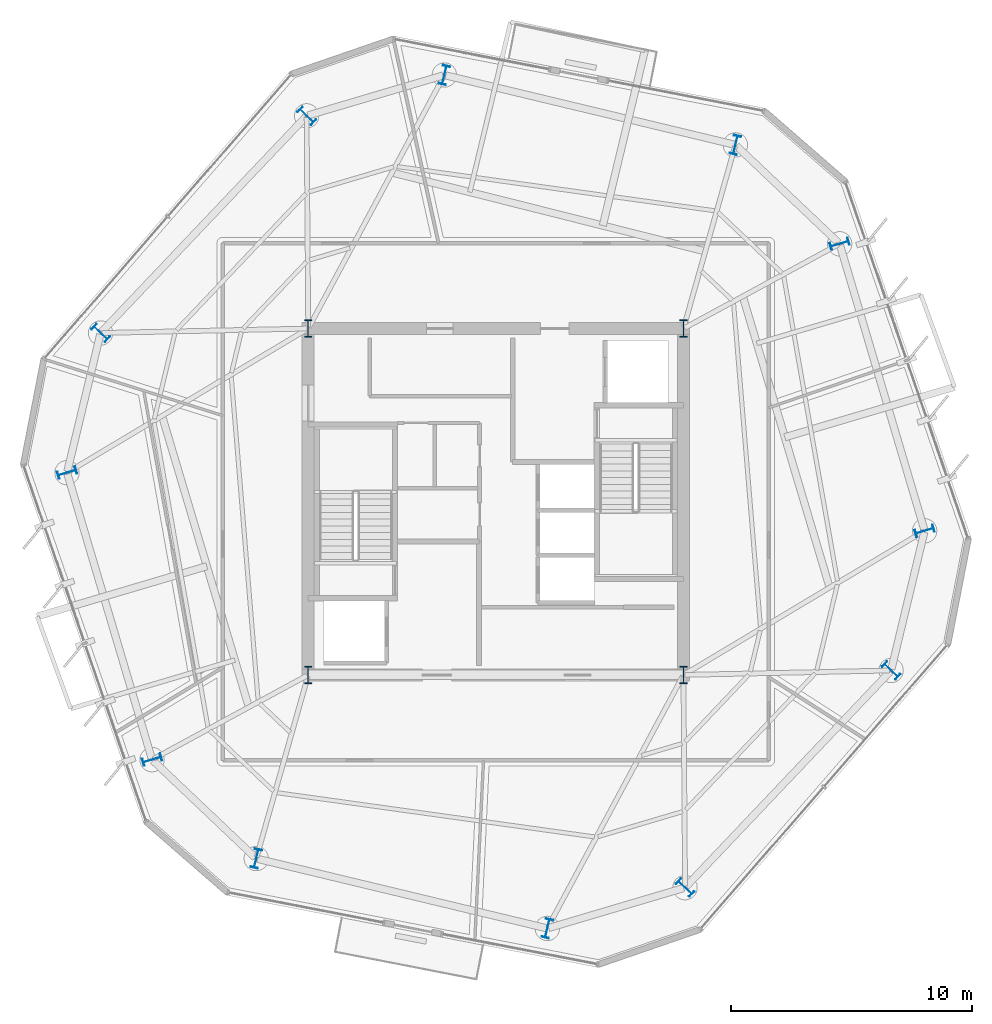
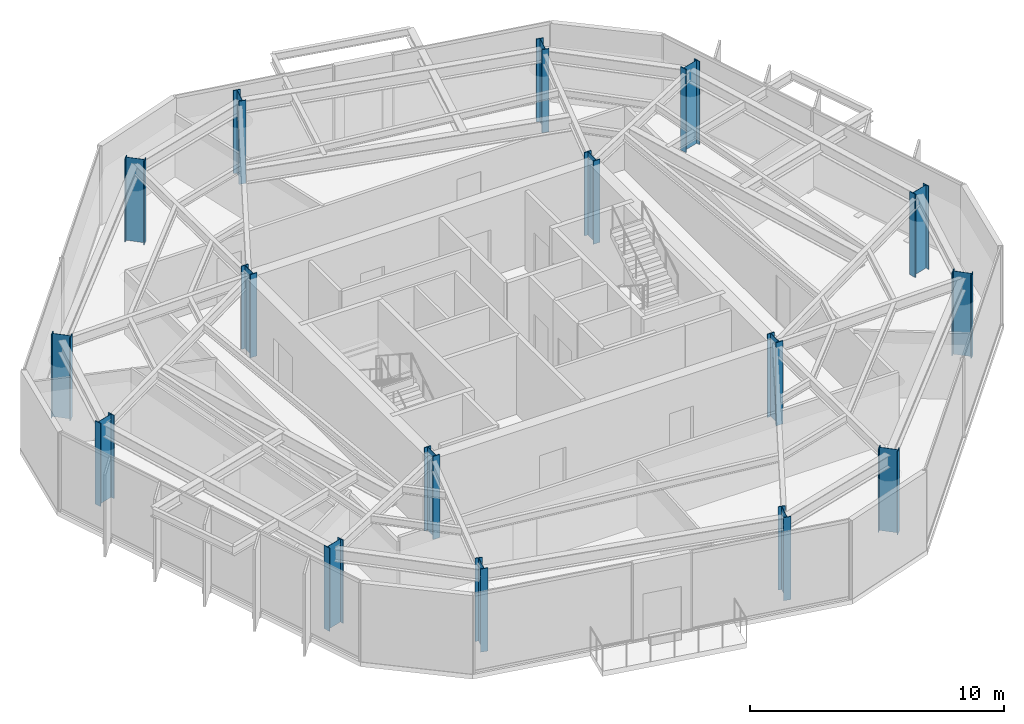
# One storey, part 1 of 11: 16 columns.
"""IFC4 building model written with IfcOpenShell, lengths in metres."""

from ifc_helpers import new_model, si_unit, direction, frame, origin, origin_2d, place, context, subcontext, project, spatial, i_section, extrude, material, material_profile, profile_set, type_object, element, save


model = new_model("IFC4")

# Units and contexts
model_context = context("Model", 3, precision=1e-05, world=origin(), true_north=direction((0.0, 1.0)))
body_context = subcontext(model_context, "Body", "Model", "MODEL_VIEW")
ifc_project = project(units=[si_unit("LENGTHUNIT", "METRE"), si_unit("AREAUNIT", "SQUARE_METRE"), si_unit("VOLUMEUNIT", "CUBIC_METRE"), si_unit("PLANEANGLEUNIT", "RADIAN"), si_unit("MASSUNIT", "GRAM", prefix="KILO")], contexts=[model_context])

# Site, building, storey
site_placement = place(None, origin())
site = spatial("IfcSite", under=ifc_project, at=site_placement, CompositionType="ELEMENT")
building_placement = place(site_placement, origin())
building = spatial("IfcBuilding", under=site, at=building_placement, Name="Kranzbogen Civic Tower", CompositionType="ELEMENT")
storey_placement = place(building_placement, frame((0.0, 0.0, 220.800048828125)))
storey = spatial("IfcBuildingStorey", under=building, at=storey_placement, Name="L53", CompositionType="ELEMENT", Elevation=220.800048828125)

# Columns
ifc_material_1 = material(Name="Steel S355", Category="steel")
ifc_material_profile_1 = material_profile(ifc_material_1, i_section(OverallWidth=0.300048828125, OverallDepth=0.800048828125, WebThickness=0.017578125, FlangeThickness=0.032958984375, at=origin_2d()), Name="HEB 800")
ifc_profile_set_1 = profile_set([ifc_material_profile_1], Name="Steel S355")
column_type_1 = type_object("IfcColumnType", Name="Structural Column HEB 800", PredefinedType="COLUMN", material=ifc_profile_set_1)
for number, where, z_axis, x_axis, name in (
    (1, (34.9609375, 39.8349609375, 0.0), (0.0, 0.0, 1.0), (-0.972369920398, 0.233445363856, 0.0), "L53 tower perimeter tube column 01"),
    (2, (22.860107421875, 42.739990234375, 0.0), (0.0, 0.0, 1.0), (-0.972369920398, 0.233445363856, 0.0), "L53 tower perimeter tube column 02"),
    (3, (17.133056640625, 41.0439453125, 0.0), (0.0, 0.0, 1.0), (0.688354575694, 0.725374371012, 0.0), "L53 tower perimeter tube column 03"),
    (4, (8.56689453125, 32.01611328125, 0.0), (0.0, 0.0, 1.0), (0.688354575694, 0.725374371012, 0.0), "L53 tower perimeter tube column 04"),
    (5, (7.172119140625, 26.208984375, 0.0), (0.0, 0.0, 1.0), (-0.284015344704, 0.958819734868, 0.0), "L53 tower perimeter tube column 05"),
    (6, (10.70703125, 14.27587890625, 0.0), (0.0, 0.0, 1.0), (-0.284015344704, 0.958819734868, 0.0), "L53 tower perimeter tube column 06"),
    (7, (15.0390625, 10.1650390625, 0.0), (0.0, 0.0, 1.0), (-0.972369920398, 0.233445363856, 0.0), "L53 tower perimeter tube column 07"),
    (8, (27.139892578125, 7.260009765625, 0.0), (0.0, 0.0, 1.0), (-0.972369920398, 0.233445363856, 0.0), "L53 tower perimeter tube column 08"),
    (9, (32.866943359375, 8.9560546875, 0.0), (0.0, 0.0, 1.0), (0.688354575694, 0.725374371012, 0.0), "L53 tower perimeter tube column 09"),
    (10, (41.43310546875, 17.98388671875, 0.0), (0.0, 0.0, 1.0), (0.688354575694, 0.725374371012, 0.0), "L53 tower perimeter tube column 10"),
    (11, (42.827880859375, 23.791015625, 0.0), (0.0, 0.0, 1.0), (-0.284015344704, 0.958819734868, 0.0), "L53 tower perimeter tube column 11"),
    (12, (39.29296875, 35.72412109375, 0.0), (0.0, 0.0, 1.0), (-0.284015344704, 0.958819734868, 0.0), "L53 tower perimeter tube column 12"),
):
    element("IfcColumn", number, at=place(storey_placement, frame(where, z_axis=z_axis, x_axis=x_axis)), inside=storey, type_object=column_type_1, Name=name, PredefinedType="COLUMN", context=body_context, shape_type="SweptSolid", body=[
        extrude(i_section(OverallWidth=0.300048828125, OverallDepth=0.800048828125, WebThickness=0.017578125, FlangeThickness=0.032958984375, at=origin_2d()), origin(), (0.0, 0.0, 1.0), 4.0),
    ])
ifc_material_2 = material(Name="Steel S460", Category="steel")
ifc_material_profile_2 = material_profile(ifc_material_2, i_section(OverallWidth=0.303955078125, OverallDepth=0.716064453125, WebThickness=0.02099609375, FlangeThickness=0.0400390625, at=origin_2d()), Name="HEM 700")
ifc_profile_set_2 = profile_set([ifc_material_profile_2], Name="Steel S460")
column_type_2 = type_object("IfcColumnType", Name="Structural Column HEM 700", PredefinedType="COLUMN", material=ifc_profile_set_2)
for number, where, z_axis, x_axis, name in (
    (13, (17.199951171875, 17.800048828125, 0.0), (0.0, 0.0, 1.0), (1.0, 0.0, 0.0), "L53 composite core corner column 1"),
    (14, (32.800048828125, 17.800048828125, 0.0), (0.0, 0.0, 1.0), (1.0, 0.0, 0.0), "L53 composite core corner column 2"),
    (15, (32.800048828125, 32.199951171875, 0.0), (0.0, 0.0, 1.0), (1.0, 0.0, 0.0), "L53 composite core corner column 3"),
    (16, (17.199951171875, 32.199951171875, 0.0), (0.0, 0.0, 1.0), (1.0, 0.0, 0.0), "L53 composite core corner column 4"),
):
    element("IfcColumn", number, at=place(storey_placement, frame(where, z_axis=z_axis, x_axis=x_axis)), inside=storey, type_object=column_type_2, Name=name, PredefinedType="COLUMN", context=body_context, shape_type="SweptSolid", body=[
        extrude(i_section(OverallWidth=0.303955078125, OverallDepth=0.716064453125, WebThickness=0.02099609375, FlangeThickness=0.0400390625, at=origin_2d()), origin(), (0.0, 0.0, 1.0), 4.0),
    ])

save(model, "model.ifc")
